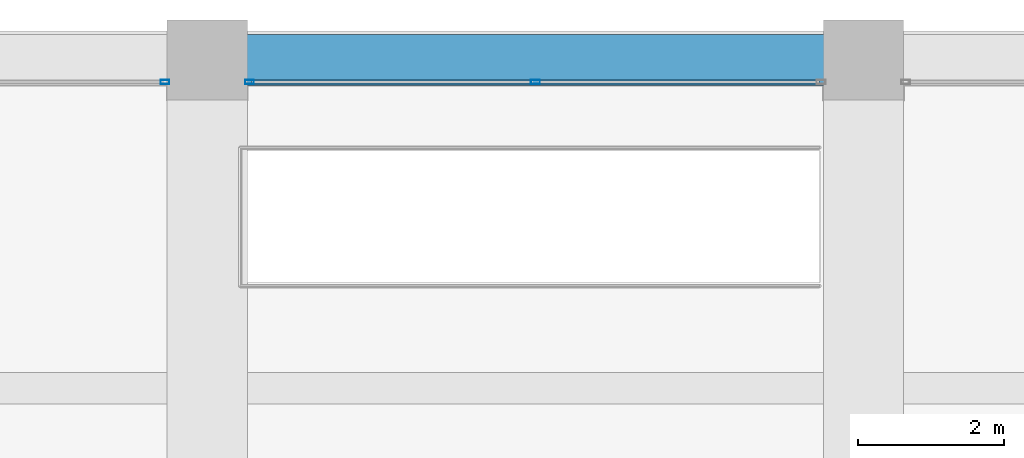
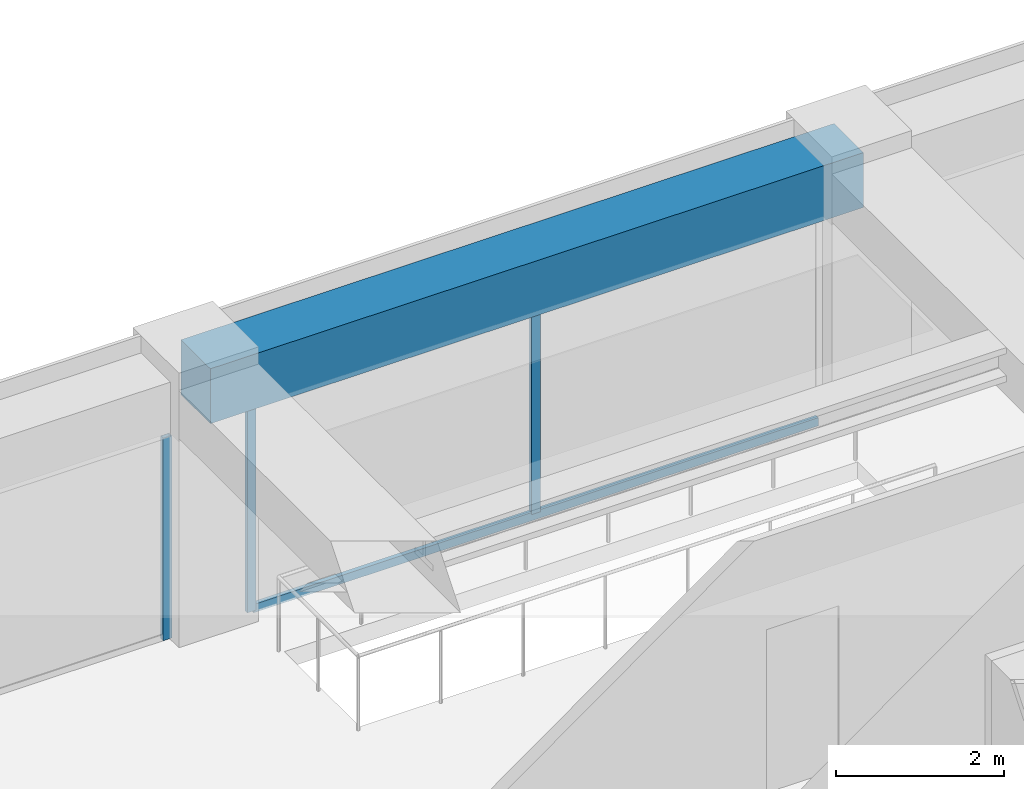
# One storey, part 33 of 44: 4 members, 1 beam, 2 elements without a shape of their own.
"""IFC4 building model written with IfcOpenShell, lengths in metres."""

from ifc_helpers import new_model, si_unit, direction, frame, origin, origin_2d, place, context, subcontext, project, spatial, rectangle, hollow_rectangle, extrude, material, material_profile, profile_set, type_object, element, aggregate, save


model = new_model("IFC4")

# Units and contexts
model_context = context("Model", 3, precision=1e-05, world=origin(), true_north=direction((0.0, 1.0)))
body_context = subcontext(model_context, "Body", "Model", "MODEL_VIEW")
ifc_project = project(units=[si_unit("LENGTHUNIT", "METRE"), si_unit("AREAUNIT", "SQUARE_METRE"), si_unit("VOLUMEUNIT", "CUBIC_METRE"), si_unit("PLANEANGLEUNIT", "RADIAN"), si_unit("MASSUNIT", "GRAM", prefix="KILO")], contexts=[model_context])

# Site, building, storey
site_placement = place(None, origin())
site = spatial("IfcSite", under=ifc_project, at=site_placement, CompositionType="ELEMENT")
building_placement = place(site_placement, origin())
building = spatial("IfcBuilding", under=site, at=building_placement, Name="Zorevar Civic Tower", CompositionType="ELEMENT")
storey_placement = place(building_placement, frame((0.0, 0.0, 295.39990234375)))
storey = spatial("IfcBuildingStorey", under=building, at=storey_placement, Name="L72", CompositionType="ELEMENT", Elevation=295.39990234375)

# Curtain wall, member
ifc_material_1 = material(Name="Dark grey solar-control glass in black aluminium frame", Category="aluminium")
curtain_wall_type = type_object("IfcCurtainWallType", Name="Curtain wall CW5 top zone", PredefinedType="NOTDEFINED", material=ifc_material_1)
curtain_wall_1_placement = place(storey_placement, origin())
curtain_wall_1 = element("IfcCurtainWall", 1, at=curtain_wall_1_placement, inside=storey, type_object=curtain_wall_type, Name="CW5 L72", PredefinedType="NOTDEFINED")
ifc_material_2 = material(Name="Aluminium, black anodised", Category="aluminium")
ifc_material_profile_1 = material_profile(ifc_material_2, hollow_rectangle(XDim=0.06005859375, YDim=0.1201171875, WallThickness=0.0029296875, at=origin_2d()), Name="AL 120x60x3")
ifc_profile_set_1 = profile_set([ifc_material_profile_1], Name="Aluminium, black anodised")
member_type_1 = type_object("IfcMemberType", Name="CW5 mullion AL 120x60x3", PredefinedType="MULLION", material=ifc_profile_set_1)
member_1_placement = place(storey_placement, frame((26.419921875, 44.699951171875, 0.0), z_axis=(0.0, 0.0, 1.0), x_axis=(0.0, 1.0, 0.0)))
member_1 = element("IfcMember", 2, at=member_1_placement, type_object=member_type_1, Name="CW5 mullion 3", PredefinedType="MULLION", context=body_context, shape_type="SweptSolid", body=[
    extrude(hollow_rectangle(XDim=0.06005859375, YDim=0.1201171875, WallThickness=0.0029296875, at=origin_2d()), origin(), (0.0, 0.0, 1.0), 2.9501953125),
])
aggregate(curtain_wall_1, [member_1])

# Curtain wall, members
curtain_wall_2_placement = place(storey_placement, origin())
curtain_wall_2 = element("IfcCurtainWall", 3, at=curtain_wall_2_placement, inside=storey, type_object=curtain_wall_type, Name="CW5 L72", PredefinedType="NOTDEFINED")
member_2_placement = place(storey_placement, frame((27.580078125, 44.699951171875, 0.0), z_axis=(0.0, 0.0, 1.0), x_axis=(0.0, 1.0, 0.0)))
member_2 = element("IfcMember", 4, at=member_2_placement, type_object=member_type_1, Name="CW5 mullion 1", PredefinedType="MULLION", context=body_context, shape_type="SweptSolid", body=[
    extrude(hollow_rectangle(XDim=0.06005859375, YDim=0.1201171875, WallThickness=0.0029296875, at=origin_2d()), origin(), (0.0, 0.0, 1.0), 2.9501953125),
])
member_3_placement = place(storey_placement, frame((31.5, 44.699951171875, 0.06005859375), z_axis=(0.0, 0.0, 1.0), x_axis=(0.0, 1.0, 0.0)))
member_3 = element("IfcMember", 5, at=member_3_placement, type_object=member_type_1, Name="CW5 mullion 2", PredefinedType="MULLION", context=body_context, shape_type="SweptSolid", body=[
    extrude(hollow_rectangle(XDim=0.06005859375, YDim=0.1201171875, WallThickness=0.0029296875, at=origin_2d()), origin(), (0.0, 0.0, 1.0), 2.89013671875),
])
ifc_material_3 = material(Name="Aluminium, black anodised", Category="aluminium")
ifc_material_profile_2 = material_profile(ifc_material_3, hollow_rectangle(XDim=0.06005859375, YDim=0.1201171875, WallThickness=0.0029296875, at=origin_2d()), Name="AL 120x60x3")
ifc_profile_set_2 = profile_set([ifc_material_profile_2], Name="Aluminium, black anodised")
member_type_2 = type_object("IfcMemberType", Name="CW5 transom AL 120x60x3", PredefinedType="USERDEFINED", material=ifc_profile_set_2)
member_4_placement = place(storey_placement, frame((27.610107421875, 44.699951171875, 0.030029296875), z_axis=(1.0, 0.0, 0.0), x_axis=(0.0, 1.0, 0.0)))
member_4 = element("IfcMember", 6, at=member_4_placement, type_object=member_type_2, Name="CW5 sill transom", ObjectType="TRANSOM", PredefinedType="USERDEFINED", context=body_context, shape_type="SweptSolid", body=[
    extrude(hollow_rectangle(XDim=0.06005859375, YDim=0.1201171875, WallThickness=0.0029296875, at=origin_2d()), origin(), (0.0, 0.0, 1.0), 7.77978515625),
])
aggregate(curtain_wall_2, [member_2, member_3, member_4])

# Beam
ifc_material_4 = material(Name="Concrete C50/60", Category="concrete")
ifc_material_profile_3 = material_profile(ifc_material_4, rectangle(XDim=0.699951171875, YDim=0.800048828125, at=origin_2d()), Name="RC 700x800")
ifc_profile_set_3 = profile_set([ifc_material_profile_3], Name="Concrete C50/60")
beam_type = type_object("IfcBeamType", Name="Edge beam RC 700x800", PredefinedType="SPANDREL", material=ifc_profile_set_3)
beam_placement = place(storey_placement, frame((27.0, 45.0, 3.35009765625), z_axis=(1.0, 0.0, 0.0), x_axis=(0.0, 1.0, 0.0)))
element("IfcBeam", 7, at=beam_placement, inside=storey, type_object=beam_type, Name="Edge beam L73", PredefinedType="SPANDREL", context=body_context, shape_type="SweptSolid", body=[
    extrude(rectangle(XDim=0.699951171875, YDim=0.800048828125, at=origin_2d()), origin(), (0.0, 0.0, 1.0), 9.0),
])

save(model, "model.ifc")
